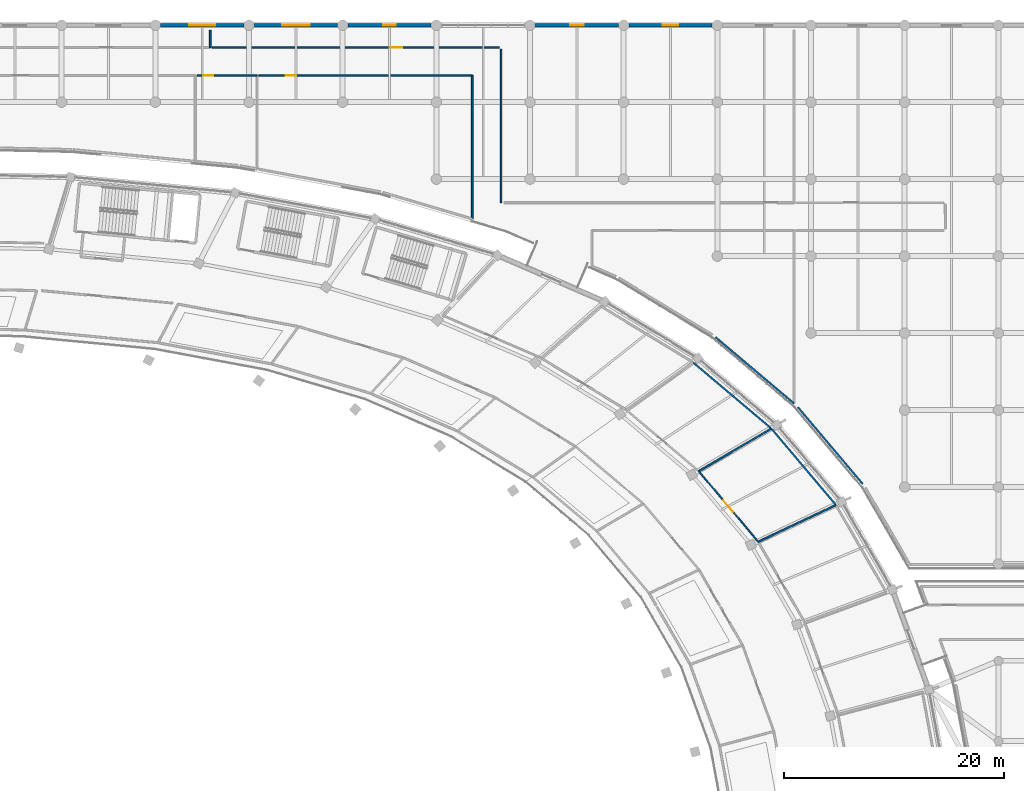
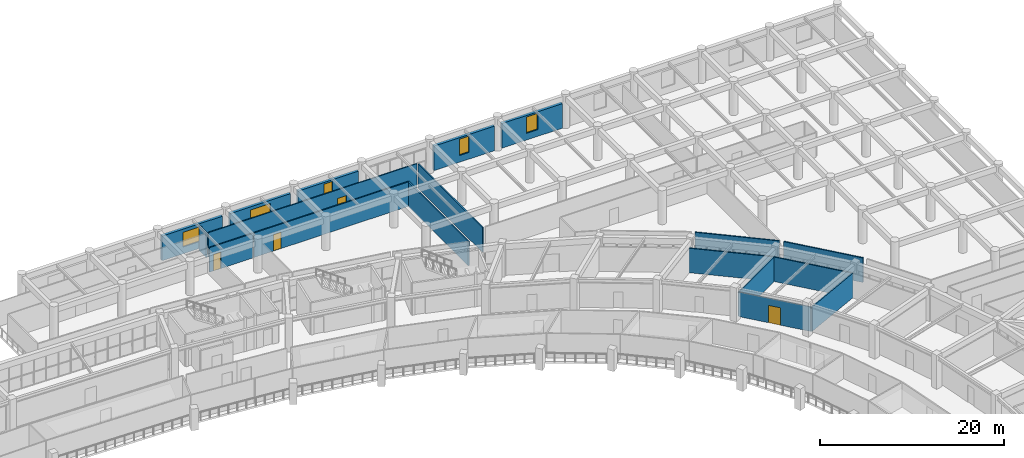
# One storey, part 109 of 141: 18 walls, 5 windows, 4 doors, 9 openings.
"""IFC4 building model written with IfcOpenShell, lengths in metres."""

from ifc_helpers import new_model, si_unit, direction, frame, frame_2d, origin, place, context, subcontext, project, spatial, rectangle, extrude, material, layer, layer_set, type_object, element, fill, save


model = new_model("IFC4")

# Units and contexts
model_context = context("Model", 3, precision=1e-05, world=origin(), true_north=direction((0.0, 1.0)))
body_context = subcontext(model_context, "Body", "Model", "MODEL_VIEW")
ifc_project = project(units=[si_unit("LENGTHUNIT", "METRE"), si_unit("AREAUNIT", "SQUARE_METRE"), si_unit("VOLUMEUNIT", "CUBIC_METRE"), si_unit("PLANEANGLEUNIT", "RADIAN"), si_unit("MASSUNIT", "GRAM", prefix="KILO")], contexts=[model_context])

# Site, building, storey
site_placement = place(None, origin())
site = spatial("IfcSite", under=ifc_project, at=site_placement, CompositionType="ELEMENT")
building_placement = place(site_placement, origin())
building = spatial("IfcBuilding", under=site, at=building_placement, Name="Mphavela Belvedere Stadium", CompositionType="ELEMENT")
storey_placement = place(building_placement, frame((0.0, 0.0, 14.699951171875)))
storey = spatial("IfcBuildingStorey", under=building, at=storey_placement, Name="L03", CompositionType="ELEMENT", Elevation=14.699951171875)

# Wall, opening, window
ifc_material_1 = material(Name="Honed ashlar limestone masonry", Category="masonry")
ifc_layer_1 = layer(ifc_material_1, 0.35009765625)
ifc_layer_set_1 = layer_set([ifc_layer_1], Name="Honed ashlar limestone masonry")
wall_type_1 = type_object("IfcWallType", Name="WAL-EXT-ASHLAR-350", PredefinedType="STANDARD", material=ifc_layer_set_1)
wall_1_placement = place(storey_placement, frame((145.2880859375, 174.0, 0.0), z_axis=(0.0, 0.0, 1.0), x_axis=(1.0, 0.0, 0.0)))
wall_1 = element("IfcWall", 1, at=wall_1_placement, inside=storey, type_object=wall_type_1, Name="North Mast and Ceremonial End Forecourt outer facade bay L03-18", PredefinedType="STANDARD", context=body_context, shape_type="SweptSolid", body=[
    extrude(rectangle(XDim=7.572021484375, YDim=0.35009765625, at=frame_2d((3.7861328125, 0.0))), origin(), (0.0, 0.0, 1.0), 3.260009765625),
])
opening_1_placement = place(wall_1_placement, frame((2.60595703125, 0.0, 0.89990234375)))
opening_1 = element("IfcOpeningElement", 2, at=opening_1_placement, cuts=wall_1, Name="Opening W-208", PredefinedType="OPENING", context=body_context, shape_type="SweptSolid", body=[
    extrude(rectangle(XDim=2.360107421875, YDim=1.949951171875, at=frame_2d((1.18017578125, 0.97509765625))), frame((0.0, 0.18505859375, 0.0), z_axis=(0.0, -1.0, 0.0), x_axis=(1.0, 0.0, 0.0)), (0.0, 0.0, 1.0), 0.3701171875),
])
ifc_material_2 = material(Name="Bronze-anodised thermally broken aluminium window", Category="aluminium")
window_type_1 = type_object("IfcWindowType", Name="WIN-EXT-32", PartitioningType="SINGLE_PANEL", PredefinedType="WINDOW", material=ifc_material_2)
window_1_placement = place(opening_1_placement, origin())
window_1 = element("IfcWindow", 3, at=window_1_placement, inside=storey, type_object=window_type_1, Name="North Mast and Ceremonial End Forecourt classical window W-208", OverallHeight=1.949951171875, OverallWidth=2.360107421875, PartitioningType="SINGLE_PANEL", PredefinedType="WINDOW", context=body_context, shape_type="SweptSolid", body=[
    extrude(rectangle(XDim=2.360107421875, YDim=1.949951171875, at=frame_2d((1.18017578125, 0.97509765625))), frame((0.0, 0.030029296875, 0.0), z_axis=(0.0, -1.0, 0.0), x_axis=(1.0, 0.0, 0.0)), (0.0, 0.0, 1.0), 0.06005859375),
])
fill(opening_1, window_1)

wall_2_placement = place(storey_placement, frame((153.805908203125, 174.0, 0.0), z_axis=(0.0, 0.0, 1.0), x_axis=(1.0, 0.0, 0.0)))
wall_2 = element("IfcWall", 4, at=wall_2_placement, inside=storey, type_object=wall_type_1, Name="North Mast and Ceremonial End Forecourt outer facade bay L03-19", PredefinedType="STANDARD", context=body_context, shape_type="SweptSolid", body=[
    extrude(rectangle(XDim=7.572998046875, YDim=0.35009765625, at=frame_2d((3.78662109375, 0.0))), origin(), (0.0, 0.0, 1.0), 3.260009765625),
])
opening_2_placement = place(wall_2_placement, frame((2.526611328125, 0.0, 0.89990234375)))
opening_2 = element("IfcOpeningElement", 5, at=opening_2_placement, cuts=wall_2, Name="Opening W-209", PredefinedType="OPENING", context=body_context, shape_type="SweptSolid", body=[
    extrude(rectangle(XDim=2.52001953125, YDim=1.949951171875, at=frame_2d((1.260009765625, 0.97509765625))), frame((0.0, 0.18505859375, 0.0), z_axis=(0.0, -1.0, 0.0), x_axis=(1.0, 0.0, 0.0)), (0.0, 0.0, 1.0), 0.3701171875),
])
ifc_material_3 = material(Name="Bronze-anodised thermally broken aluminium window", Category="aluminium")
window_type_2 = type_object("IfcWindowType", Name="WIN-EXT-33", PartitioningType="SINGLE_PANEL", PredefinedType="WINDOW", material=ifc_material_3)
window_2_placement = place(opening_2_placement, origin())
window_2 = element("IfcWindow", 6, at=window_2_placement, inside=storey, type_object=window_type_2, Name="North Mast and Ceremonial End Forecourt classical window W-209", OverallHeight=1.949951171875, OverallWidth=2.52001953125, PartitioningType="SINGLE_PANEL", PredefinedType="WINDOW", context=body_context, shape_type="SweptSolid", body=[
    extrude(rectangle(XDim=2.52001953125, YDim=1.949951171875, at=frame_2d((1.260009765625, 0.97509765625))), frame((0.0, 0.030029296875, 0.0), z_axis=(0.0, -1.0, 0.0), x_axis=(1.0, 0.0, 0.0)), (0.0, 0.0, 1.0), 0.06005859375),
])
fill(opening_2, window_2)

wall_3_placement = place(storey_placement, frame((162.324951171875, 174.0, 0.0), z_axis=(0.0, 0.0, 1.0), x_axis=(1.0, 0.0, 0.0)))
wall_3 = element("IfcWall", 7, at=wall_3_placement, inside=storey, type_object=wall_type_1, Name="North Mast and Ceremonial End Forecourt outer facade bay L03-20", PredefinedType="STANDARD", context=body_context, shape_type="SweptSolid", body=[
    extrude(rectangle(XDim=7.572021484375, YDim=0.35009765625, at=frame_2d((3.7861328125, 0.0))), origin(), (0.0, 0.0, 1.0), 3.260009765625),
])
opening_3_placement = place(wall_3_placement, frame((3.236083984375, 0.0, 0.89990234375)))
opening_3 = element("IfcOpeningElement", 8, at=opening_3_placement, cuts=wall_3, Name="Opening W-210", PredefinedType="OPENING", context=body_context, shape_type="SweptSolid", body=[
    extrude(rectangle(XDim=1.10009765625, YDim=2.14990234375, at=frame_2d((0.550048828125, 1.074951171875))), frame((0.0, 0.18505859375, 0.0), z_axis=(0.0, -1.0, 0.0), x_axis=(1.0, 0.0, 0.0)), (0.0, 0.0, 1.0), 0.3701171875),
])
ifc_material_4 = material(Name="Bronze-anodised thermally broken aluminium window", Category="aluminium")
window_type_3 = type_object("IfcWindowType", Name="WIN-EXT-34", PartitioningType="SINGLE_PANEL", PredefinedType="WINDOW", material=ifc_material_4)
window_3_placement = place(opening_3_placement, origin())
window_3 = element("IfcWindow", 9, at=window_3_placement, inside=storey, type_object=window_type_3, Name="North Mast and Ceremonial End Forecourt classical window W-210", OverallHeight=2.14990234375, OverallWidth=1.10009765625, PartitioningType="SINGLE_PANEL", PredefinedType="WINDOW", context=body_context, shape_type="SweptSolid", body=[
    extrude(rectangle(XDim=1.10009765625, YDim=2.14990234375, at=frame_2d((0.550048828125, 1.074951171875))), frame((0.0, 0.030029296875, 0.0), z_axis=(0.0, -1.0, 0.0), x_axis=(1.0, 0.0, 0.0)), (0.0, 0.0, 1.0), 0.06005859375),
])
fill(opening_3, window_3)

wall_4_placement = place(storey_placement, frame((179.362060546875, 174.0, 0.0), z_axis=(0.0, 0.0, 1.0), x_axis=(1.0, 0.0, 0.0)))
wall_4 = element("IfcWall", 10, at=wall_4_placement, inside=storey, type_object=wall_type_1, Name="North Mast and Ceremonial End Forecourt outer facade bay L03-22", PredefinedType="STANDARD", context=body_context, shape_type="SweptSolid", body=[
    extrude(rectangle(XDim=7.572021484375, YDim=0.35009765625, at=frame_2d((3.7861328125, 0.0))), origin(), (0.0, 0.0, 1.0), 3.260009765625),
])
opening_4_placement = place(wall_4_placement, frame((3.166015625, 0.0, 0.89990234375)))
opening_4 = element("IfcOpeningElement", 11, at=opening_4_placement, cuts=wall_4, Name="Opening W-211", PredefinedType="OPENING", context=body_context, shape_type="SweptSolid", body=[
    extrude(rectangle(XDim=1.239990234375, YDim=2.14990234375, at=frame_2d((0.6201171875, 1.074951171875))), frame((0.0, 0.18505859375, 0.0), z_axis=(0.0, -1.0, 0.0), x_axis=(1.0, 0.0, 0.0)), (0.0, 0.0, 1.0), 0.3701171875),
])
ifc_material_5 = material(Name="Bronze-anodised thermally broken aluminium window", Category="aluminium")
window_type_4 = type_object("IfcWindowType", Name="WIN-EXT-35", PartitioningType="SINGLE_PANEL", PredefinedType="WINDOW", material=ifc_material_5)
window_4_placement = place(opening_4_placement, origin())
window_4 = element("IfcWindow", 12, at=window_4_placement, inside=storey, type_object=window_type_4, Name="North Mast and Ceremonial End Forecourt classical window W-211", OverallHeight=2.14990234375, OverallWidth=1.239990234375, PartitioningType="SINGLE_PANEL", PredefinedType="WINDOW", context=body_context, shape_type="SweptSolid", body=[
    extrude(rectangle(XDim=1.239990234375, YDim=2.14990234375, at=frame_2d((0.6201171875, 1.074951171875))), frame((0.0, 0.030029296875, 0.0), z_axis=(0.0, -1.0, 0.0), x_axis=(1.0, 0.0, 0.0)), (0.0, 0.0, 1.0), 0.06005859375),
])
fill(opening_4, window_4)

wall_5_placement = place(storey_placement, frame((187.8798828125, 174.0, 0.0), z_axis=(0.0, 0.0, 1.0), x_axis=(1.0, 0.0, 0.0)))
wall_5 = element("IfcWall", 13, at=wall_5_placement, inside=storey, type_object=wall_type_1, Name="North Mast and Ceremonial End Forecourt outer facade bay L03-23", PredefinedType="STANDARD", context=body_context, shape_type="SweptSolid", body=[
    extrude(rectangle(XDim=7.572998046875, YDim=0.35009765625, at=frame_2d((3.78662109375, 0.0))), origin(), (0.0, 0.0, 1.0), 3.260009765625),
])
opening_5_placement = place(wall_5_placement, frame((3.096435546875, 0.0, 0.89990234375)))
opening_5 = element("IfcOpeningElement", 14, at=opening_5_placement, cuts=wall_5, Name="Opening W-212", PredefinedType="OPENING", context=body_context, shape_type="SweptSolid", body=[
    extrude(rectangle(XDim=1.3798828125, YDim=2.14990234375, at=frame_2d((0.68994140625, 1.074951171875))), frame((0.0, 0.18505859375, 0.0), z_axis=(0.0, -1.0, 0.0), x_axis=(1.0, 0.0, 0.0)), (0.0, 0.0, 1.0), 0.3701171875),
])
ifc_material_6 = material(Name="Bronze-anodised thermally broken aluminium window", Category="aluminium")
window_type_5 = type_object("IfcWindowType", Name="WIN-EXT-36", PartitioningType="SINGLE_PANEL", PredefinedType="WINDOW", material=ifc_material_6)
window_5_placement = place(opening_5_placement, origin())
window_5 = element("IfcWindow", 15, at=window_5_placement, inside=storey, type_object=window_type_5, Name="North Mast and Ceremonial End Forecourt classical window W-212", OverallHeight=2.14990234375, OverallWidth=1.3798828125, PartitioningType="SINGLE_PANEL", PredefinedType="WINDOW", context=body_context, shape_type="SweptSolid", body=[
    extrude(rectangle(XDim=1.3798828125, YDim=2.14990234375, at=frame_2d((0.68994140625, 1.074951171875))), frame((0.0, 0.030029296875, 0.0), z_axis=(0.0, -1.0, 0.0), x_axis=(1.0, 0.0, 0.0)), (0.0, 0.0, 1.0), 0.06005859375),
])
fill(opening_5, window_5)

# Wall, opening, door
ifc_material_7 = material(Name="Moisture-resistant sanitary partition assembly")
ifc_layer_2 = layer(ifc_material_7, 0.125)
ifc_layer_set_2 = layer_set([ifc_layer_2], Name="Moisture-resistant sanitary partition assembly")
wall_type_2 = type_object("IfcWallType", Name="WAL-PART-125", PredefinedType="PARTITIONING", material=ifc_layer_set_2)
wall_6_placement = place(storey_placement, frame((199.59521484375, 127.0859375, 0.0), z_axis=(0.0, 0.0, 1.0), x_axis=(-0.64516519871, 0.76404310505, 0.0)))
wall_6 = element("IfcWall", 16, at=wall_6_placement, inside=storey, type_object=wall_type_2, Name="Room L03-47 corridor partition", PredefinedType="PARTITIONING", context=body_context, shape_type="SweptSolid", body=[
    extrude(rectangle(XDim=8.3134765625, YDim=0.125, at=frame_2d((4.15673828125, 0.0))), origin(), (0.0, 0.0, 1.0), 3.25),
])
opening_6_placement = place(wall_6_placement, frame((3.456787109375, 0.0, 0.0)))
opening_6 = element("IfcOpeningElement", 17, at=opening_6_placement, cuts=wall_6, Name="Opening ID-252", PredefinedType="OPENING", context=body_context, shape_type="SweptSolid", body=[
    extrude(rectangle(XDim=1.39990234375, YDim=2.300048828125, at=frame_2d((0.699951171875, 1.14990234375))), frame((0.0, 0.072509765625, 0.0), z_axis=(0.0, -1.0, 0.0), x_axis=(1.0, 0.0, 0.0)), (0.0, 0.0, 1.0), 0.14501953125),
])
ifc_material_8 = material(Name="Hardwood acoustic timber doorset", Category="wood")
door_type_1 = type_object("IfcDoorType", Name="DR-INT-36", OperationType="NOTDEFINED", PredefinedType="DOOR", material=ifc_material_8)
door_1_placement = place(opening_6_placement, origin())
door_1 = element("IfcDoor", 18, at=door_1_placement, inside=storey, type_object=door_type_1, Name="Room L03-47 entrance door ID-252", OperationType="SINGLE_SWING_RIGHT", OverallHeight=2.300048828125, OverallWidth=1.39990234375, PredefinedType="DOOR", context=body_context, shape_type="SweptSolid", body=[
    extrude(rectangle(XDim=1.39990234375, YDim=2.300048828125, at=frame_2d((0.699951171875, 1.14990234375))), frame((0.0, 0.02490234375, 0.0), z_axis=(0.0, -1.0, 0.0), x_axis=(1.0, 0.0, 0.0)), (0.0, 0.0, 1.0), 0.050048828125),
])
fill(opening_6, door_1)

wall_7_placement = place(storey_placement, frame((176.10009765625, 171.9599609375, 0.0), z_axis=(0.0, 0.0, 1.0), x_axis=(-1.0, 0.0, 0.0)))
wall_7 = element("IfcWall", 19, at=wall_7_placement, inside=storey, type_object=wall_type_2, Name="Room L03-183 corridor partition", PredefinedType="PARTITIONING", context=body_context, shape_type="SweptSolid", body=[
    extrude(rectangle(XDim=26.10009765625, YDim=0.125, at=frame_2d((13.050048828125, 0.0))), origin(), (0.0, 0.0, 1.0), 3.25),
])
opening_7_placement = place(wall_7_placement, frame((8.845947265625, 0.0, 0.0)))
opening_7 = element("IfcOpeningElement", 20, at=opening_7_placement, cuts=wall_7, Name="Opening ID-474", PredefinedType="OPENING", context=body_context, shape_type="SweptSolid", body=[
    extrude(rectangle(XDim=1.10009765625, YDim=2.10009765625, at=frame_2d((0.550048828125, 1.050048828125))), frame((0.0, 0.072509765625, 0.0), z_axis=(0.0, -1.0, 0.0), x_axis=(1.0, 0.0, 0.0)), (0.0, 0.0, 1.0), 0.14501953125),
])
ifc_material_9 = material(Name="Hardwood acoustic timber doorset", Category="wood")
door_type_2 = type_object("IfcDoorType", Name="DR-INT-06", OperationType="NOTDEFINED", PredefinedType="DOOR", material=ifc_material_9)
door_2_placement = place(opening_7_placement, origin())
door_2 = element("IfcDoor", 21, at=door_2_placement, inside=storey, type_object=door_type_2, Name="Room L03-183 entrance door ID-474", OperationType="SINGLE_SWING_RIGHT", OverallHeight=2.10009765625, OverallWidth=1.10009765625, PredefinedType="DOOR", context=body_context, shape_type="SweptSolid", body=[
    extrude(rectangle(XDim=1.10009765625, YDim=2.10009765625, at=frame_2d((0.550048828125, 1.050048828125))), frame((0.0, 0.02490234375, 0.0), z_axis=(0.0, -1.0, 0.0), x_axis=(1.0, 0.0, 0.0)), (0.0, 0.0, 1.0), 0.050048828125),
])
fill(opening_7, door_2)

ifc_material_10 = material(Name="Acoustic gypsum stud partition assembly")
ifc_layer_3 = layer(ifc_material_10, 0.14990234375)
ifc_layer_set_3 = layer_set([ifc_layer_3], Name="Acoustic gypsum stud partition assembly")
wall_type_3 = type_object("IfcWallType", Name="WAL-PART-150", PredefinedType="PARTITIONING", material=ifc_layer_set_3)
wall_8_placement = place(storey_placement, frame((148.64501953125, 169.43994140625, 0.0), z_axis=(0.0, 0.0, 1.0), x_axis=(1.0, 0.0, 0.0)))
wall_8 = element("IfcWall", 22, at=wall_8_placement, inside=storey, type_object=wall_type_3, Name="Room L03-190 corridor partition", PredefinedType="PARTITIONING", context=body_context, shape_type="SweptSolid", body=[
    extrude(rectangle(XDim=5.419921875, YDim=0.14990234375, at=frame_2d((2.7099609375, 0.0))), origin(), (0.0, 0.0, 1.0), 3.25),
])
opening_8_placement = place(wall_8_placement, frame((0.513916015625, 0.0, 0.0)))
opening_8 = element("IfcOpeningElement", 23, at=opening_8_placement, cuts=wall_8, Name="Opening ID-481", PredefinedType="OPENING", context=body_context, shape_type="SweptSolid", body=[
    extrude(rectangle(XDim=0.89990234375, YDim=2.199951171875, at=frame_2d((0.449951171875, 1.10009765625))), frame((0.0, 0.0849609375, 0.0), z_axis=(0.0, -1.0, 0.0), x_axis=(1.0, 0.0, 0.0)), (0.0, 0.0, 1.0), 0.169921875),
])
ifc_material_11 = material(Name="Hardwood acoustic timber doorset", Category="wood")
door_type_3 = type_object("IfcDoorType", Name="DR-INT-13", OperationType="NOTDEFINED", PredefinedType="DOOR", material=ifc_material_11)
door_3_placement = place(opening_8_placement, origin())
door_3 = element("IfcDoor", 24, at=door_3_placement, inside=storey, type_object=door_type_3, Name="Room L03-190 entrance door ID-481", OperationType="SINGLE_SWING_LEFT", OverallHeight=2.199951171875, OverallWidth=0.89990234375, PredefinedType="DOOR", context=body_context, shape_type="SweptSolid", body=[
    extrude(rectangle(XDim=0.89990234375, YDim=2.199951171875, at=frame_2d((0.449951171875, 1.10009765625))), frame((0.0, 0.02490234375, 0.0), z_axis=(0.0, -1.0, 0.0), x_axis=(1.0, 0.0, 0.0)), (0.0, 0.0, 1.0), 0.050048828125),
])
fill(opening_8, door_3)

wall_9_placement = place(storey_placement, frame((154.22509765625, 169.43994140625, 0.0), z_axis=(0.0, 0.0, 1.0), x_axis=(1.0, 0.0, 0.0)))
wall_9 = element("IfcWall", 25, at=wall_9_placement, inside=storey, type_object=wall_type_3, Name="Room L03-191 corridor partition", PredefinedType="PARTITIONING", context=body_context, shape_type="SweptSolid", body=[
    extrude(rectangle(XDim=19.414794921875, YDim=0.14990234375, at=frame_2d((9.70751953125, 0.0))), origin(), (0.0, 0.0, 1.0), 3.25),
])
opening_9_placement = place(wall_9_placement, frame((2.460205078125, 0.0, 0.0)))
opening_9 = element("IfcOpeningElement", 26, at=opening_9_placement, cuts=wall_9, Name="Opening ID-482", PredefinedType="OPENING", context=body_context, shape_type="SweptSolid", body=[
    extrude(rectangle(XDim=0.93994140625, YDim=2.199951171875, at=frame_2d((0.469970703125, 1.10009765625))), frame((0.0, 0.0849609375, 0.0), z_axis=(0.0, -1.0, 0.0), x_axis=(1.0, 0.0, 0.0)), (0.0, 0.0, 1.0), 0.169921875),
])
ifc_material_12 = material(Name="Hardwood acoustic timber doorset", Category="wood")
door_type_4 = type_object("IfcDoorType", Name="DR-INT-14", OperationType="NOTDEFINED", PredefinedType="DOOR", material=ifc_material_12)
door_4_placement = place(opening_9_placement, origin())
door_4 = element("IfcDoor", 27, at=door_4_placement, inside=storey, type_object=door_type_4, Name="Room L03-191 entrance door ID-482", OperationType="SINGLE_SWING_RIGHT", OverallHeight=2.199951171875, OverallWidth=0.93994140625, PredefinedType="DOOR", context=body_context, shape_type="SweptSolid", body=[
    extrude(rectangle(XDim=0.93994140625, YDim=2.199951171875, at=frame_2d((0.469970703125, 1.10009765625))), frame((0.0, 0.02490234375, 0.0), z_axis=(0.0, -1.0, 0.0), x_axis=(1.0, 0.0, 0.0)), (0.0, 0.0, 1.0), 0.050048828125),
])
fill(opening_9, door_4)

# Walls
wall_10_placement = place(storey_placement, frame((199.64111328125, 127.01904296875, 0.0), z_axis=(0.0, 0.0, 1.0), x_axis=(0.903854859666, 0.427839213559, 0.0)))
element("IfcWall", 28, at=wall_10_placement, inside=storey, type_object=wall_type_3, Name="Room divider partition L03-0448", PredefinedType="PARTITIONING", context=body_context, shape_type="SweptSolid", body=[
    extrude(rectangle(XDim=7.814208984375, YDim=0.14990234375, at=frame_2d((3.9072265625, 0.0))), origin(), (0.0, 0.0, 1.0), 3.25),
])
wall_11_placement = place(storey_placement, frame((194.231689453125, 133.437744140625, 0.0), z_axis=(0.0, 0.0, 1.0), x_axis=(0.862520085009, 0.506022828492, 0.0)))
element("IfcWall", 29, at=wall_11_placement, inside=storey, type_object=wall_type_3, Name="Room divider partition L03-0452", PredefinedType="PARTITIONING", context=body_context, shape_type="SweptSolid", body=[
    extrude(rectangle(XDim=7.66259765625, YDim=0.14990234375, at=frame_2d((3.831298828125, 0.0))), origin(), (0.0, 0.0, 1.0), 3.25),
])
wall_12_placement = place(storey_placement, frame((200.8408203125, 137.315185546875, 0.0), z_axis=(0.0, 0.0, 1.0), x_axis=(0.645166061073, -0.764042376861, 0.0)))
element("IfcWall", 30, at=wall_12_placement, inside=storey, type_object=wall_type_3, Name="Room divider partition L03-0453", PredefinedType="PARTITIONING", context=body_context, shape_type="SweptSolid", body=[
    extrude(rectangle(XDim=9.013916015625, YDim=0.14990234375, at=frame_2d((4.5068359375, 0.0))), origin(), (0.0, 0.0, 1.0), 3.25),
])
wall_13_placement = place(storey_placement, frame((193.70556640625, 143.343017578125, 0.0), z_axis=(0.0, 0.0, 1.0), x_axis=(0.764252893528, -0.644916672706, 0.0)))
element("IfcWall", 31, at=wall_13_placement, inside=storey, type_object=wall_type_3, Name="Room divider partition L03-0457", PredefinedType="PARTITIONING", context=body_context, shape_type="SweptSolid", body=[
    extrude(rectangle(XDim=9.25732421875, YDim=0.14990234375, at=frame_2d((4.628662109375, 0.0))), origin(), (0.0, 0.0, 1.0), 3.25),
])
wall_14_placement = place(storey_placement, frame((149.800048828125, 173.550048828125, 0.0), z_axis=(0.0, 0.0, 1.0), x_axis=(0.0, -1.0, 0.0)))
element("IfcWall", 32, at=wall_14_placement, inside=storey, type_object=wall_type_3, Name="Room divider partition L03-1054", PredefinedType="PARTITIONING", context=body_context, shape_type="SweptSolid", body=[
    extrude(rectangle(XDim=1.590087890625, YDim=0.14990234375, at=frame_2d((0.794921875, 0.0))), origin(), (0.0, 0.0, 1.0), 3.25),
])
wall_15_placement = place(storey_placement, frame((176.260009765625, 157.860107421875, 0.0), z_axis=(0.0, 0.0, 1.0), x_axis=(0.0, 1.0, 0.0)))
element("IfcWall", 33, at=wall_15_placement, inside=storey, type_object=wall_type_3, Name="Room divider partition L03-1055", PredefinedType="PARTITIONING", context=body_context, shape_type="SweptSolid", body=[
    extrude(rectangle(XDim=13.93994140625, YDim=0.14990234375, at=frame_2d((6.969970703125, 0.0))), origin(), (0.0, 0.0, 1.0), 3.25),
])
wall_16_placement = place(storey_placement, frame((202.89990234375, 139.606689453125, 0.0), z_axis=(0.0, 0.0, 1.0), x_axis=(-0.764245949545, 0.644924901523, 0.0)))
element("IfcWall", 34, at=wall_16_placement, inside=storey, type_object=wall_type_3, Name="Room divider partition L03-1060", PredefinedType="PARTITIONING", context=body_context, shape_type="SweptSolid", body=[
    extrude(rectangle(XDim=9.332275390625, YDim=0.14990234375, at=frame_2d((4.666015625, 0.0))), origin(), (0.0, 0.0, 1.0), 3.25),
])
wall_17_placement = place(storey_placement, frame((209.152587890625, 132.2744140625, 0.0), z_axis=(0.0, 0.0, 1.0), x_axis=(-0.645180125691, 0.764030500316, 0.0)))
element("IfcWall", 35, at=wall_17_placement, inside=storey, type_object=wall_type_3, Name="Room divider partition L03-1062", PredefinedType="PARTITIONING", context=body_context, shape_type="SweptSolid", body=[
    extrude(rectangle(XDim=9.1513671875, YDim=0.14990234375, at=frame_2d((4.57568359375, 0.0))), origin(), (0.0, 0.0, 1.0), 3.25),
])
wall_18_placement = place(storey_placement, frame((173.639892578125, 169.43994140625, 0.0), z_axis=(0.0, 0.0, 1.0), x_axis=(0.0, -1.0, 0.0)))
element("IfcWall", 36, at=wall_18_placement, inside=storey, type_object=wall_type_3, Name="Room divider partition L03-1083", PredefinedType="PARTITIONING", context=body_context, shape_type="SweptSolid", body=[
    extrude(rectangle(XDim=13.058837890625, YDim=0.14990234375, at=frame_2d((6.529296875, 0.0))), origin(), (0.0, 0.0, 1.0), 3.25),
])

save(model, "model.ifc")
